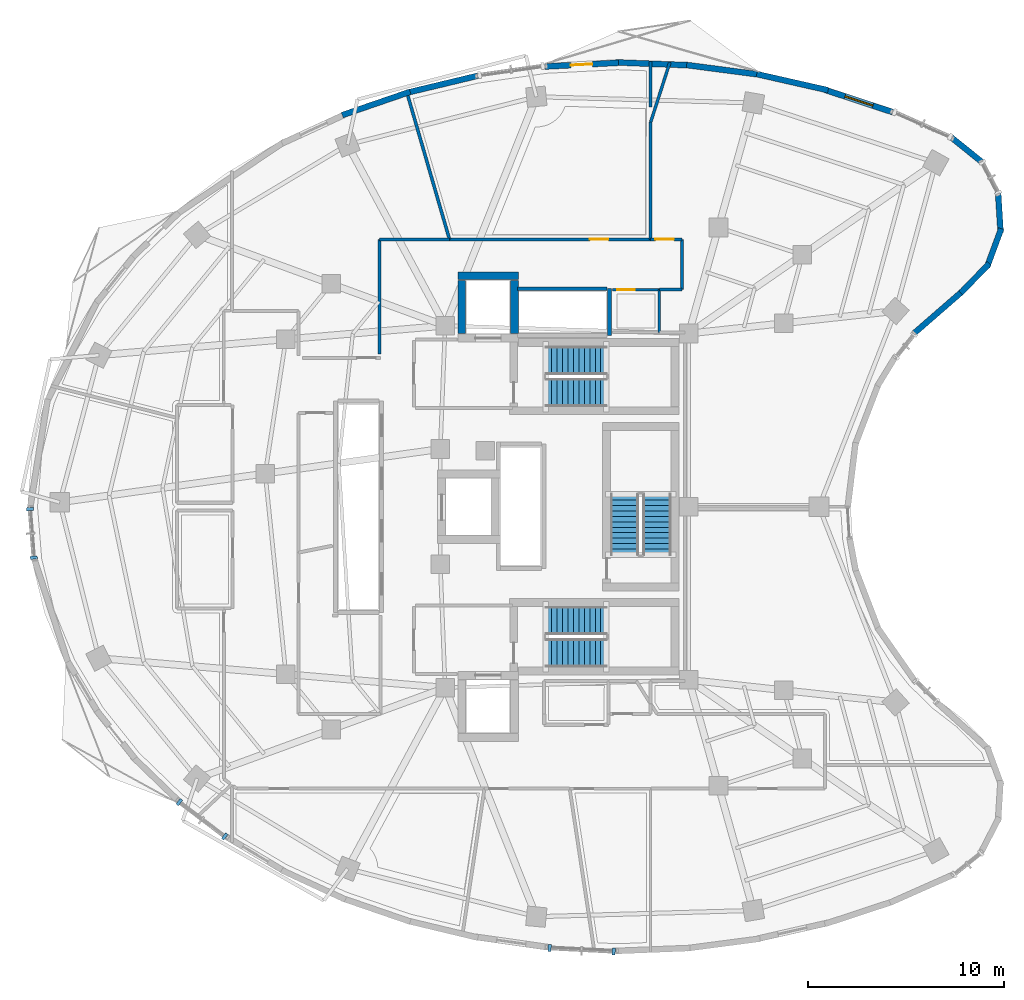
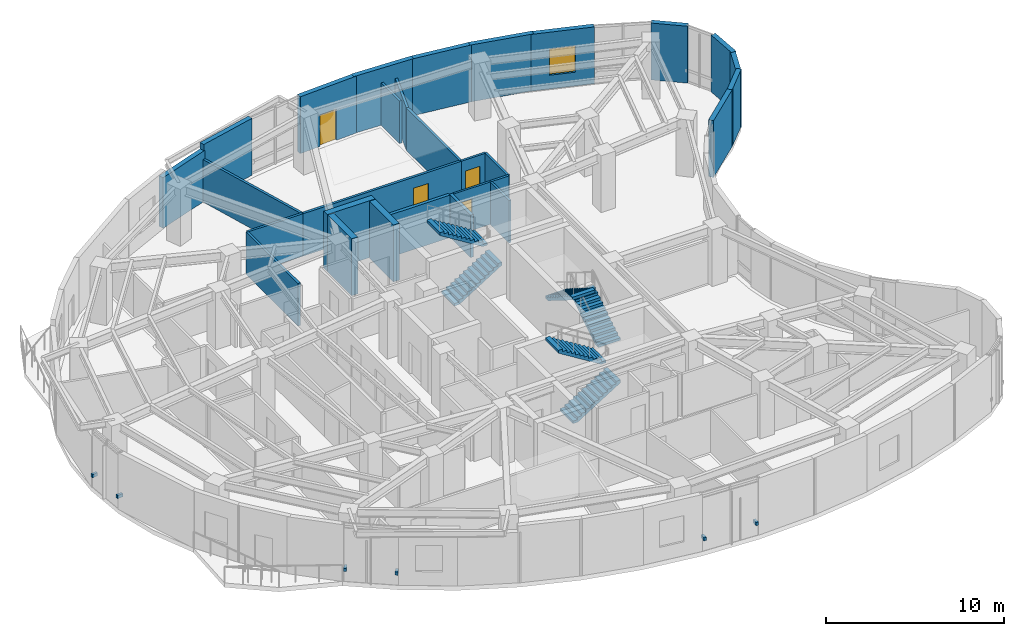
# One storey, part 11 of 15: 29 walls, 6 discrete accessories, 6 stair flights, 4 doors, 1 window, 5 openings, 3 elements without a shape of their own.
"""IFC4 building model written with IfcOpenShell, lengths in metres."""

from ifc_helpers import new_model, si_unit, direction, frame, frame_2d, origin, origin_2d, place, context, subcontext, project, spatial, polyline, rectangle, outline, extrude, material, layer, layer_set, type_object, element, fill, aggregate, save


model = new_model("IFC4")

# Units and contexts
model_context = context("Model", 3, precision=1e-05, world=origin(), true_north=direction((0.0, 1.0)))
body_context = subcontext(model_context, "Body", "Model", "MODEL_VIEW")
ifc_project = project(units=[si_unit("LENGTHUNIT", "METRE"), si_unit("AREAUNIT", "SQUARE_METRE"), si_unit("VOLUMEUNIT", "CUBIC_METRE"), si_unit("PLANEANGLEUNIT", "RADIAN"), si_unit("MASSUNIT", "GRAM", prefix="KILO")], contexts=[model_context])

# Site, building, storey
site_placement = place(None, origin())
site = spatial("IfcSite", under=ifc_project, at=site_placement, CompositionType="ELEMENT")
building_placement = place(site_placement, origin())
building = spatial("IfcBuilding", under=site, at=building_placement, Name="Korentha Bioscience Tower", CompositionType="ELEMENT")
storey_placement = place(building_placement, frame((0.0, 0.0, 235.199951171875)))
storey = spatial("IfcBuildingStorey", under=building, at=storey_placement, Name="L54", CompositionType="ELEMENT", Elevation=235.199951171875)

# Wall, opening, door
ifc_material_1 = material(Name="Double-Stud Acoustic Gypsum", Category="gypsum")
ifc_layer_1 = layer(ifc_material_1, 0.14990234375, Name="Double-Stud Acoustic Gypsum")
ifc_layer_set_1 = layer_set([ifc_layer_1], Name="Double-Stud Acoustic Gypsum (IW-L150)")
wall_type_1 = type_object("IfcWallType", Name="Acoustic Laboratory Partition Wall 150", PredefinedType="PARTITIONING", material=ifc_layer_set_1)
wall_1_placement = place(storey_placement, frame((37.199951171875, 40.659912109375, 0.0), z_axis=(0.0, 0.0, 1.0), x_axis=(-1.0, 0.0, 0.0)))
wall_1 = element("IfcWall", 1, at=wall_1_placement, inside=storey, type_object=wall_type_1, Name="L54 Researchers' Reading Lounge 08 Entrance Wall", PredefinedType="PARTITIONING", context=body_context, shape_type="SweptSolid", body=[
    extrude(rectangle(XDim=1.597900390625, YDim=0.14990234375, at=frame_2d((0.798828125, 0.0))), origin(), (0.0, 0.0, 1.0), 2.91015625),
])
opening_1_placement = place(wall_1_placement, frame((0.407958984375, 0.0, 0.0)))
opening_1 = element("IfcOpeningElement", 2, at=opening_1_placement, cuts=wall_1, Name="Opening ID-10R", PredefinedType="OPENING", context=body_context, shape_type="SweptSolid", body=[
    extrude(rectangle(XDim=0.949951171875, YDim=2.14990234375, at=frame_2d((0.47509765625, 1.074951171875))), frame((0.0, 0.08984375, 0.0), z_axis=(0.0, -1.0, 0.0), x_axis=(1.0, 0.0, 0.0)), (0.0, 0.0, 1.0), 0.1796875),
])
ifc_material_2 = material(Name="Phenolic Laminate Timber Core", Category="wood")
door_type_1 = type_object("IfcDoorType", Name="Laboratory Single Leaf Door 950x2150 Right", OperationType="SINGLE_SWING_RIGHT", PredefinedType="DOOR", material=ifc_material_2)
door_1_placement = place(opening_1_placement, origin())
door_1 = element("IfcDoor", 3, at=door_1_placement, inside=storey, type_object=door_type_1, Name="L54 Researchers' Reading Lounge 08 Door", OperationType="SINGLE_SWING_RIGHT", OverallHeight=2.14990234375, OverallWidth=0.949951171875, PredefinedType="DOOR", context=body_context, shape_type="SweptSolid", body=[
    extrude(rectangle(XDim=0.949951171875, YDim=2.14990234375, at=frame_2d((0.47509765625, 1.074951171875))), frame((0.0, 0.02490234375, 0.0), z_axis=(0.0, -1.0, 0.0), x_axis=(1.0, 0.0, 0.0)), (0.0, 0.0, 1.0), 0.050048828125),
])
fill(opening_1, door_1)

# Walls
wall_2_placement = place(storey_placement, frame((35.60205078125, 46.65673828125, 0.0), z_axis=(0.0, 0.0, 1.0), x_axis=(0.306063425715, 0.95201112359, 0.0)))
element("IfcWall", 4, at=wall_2_placement, inside=storey, type_object=wall_type_1, Name="L54 Interior Partition 056", PredefinedType="PARTITIONING", context=body_context, shape_type="SweptSolid", body=[
    extrude(rectangle(XDim=3.205078125, YDim=0.14990234375, at=frame_2d((1.6025390625, 0.0))), origin(), (0.0, 0.0, 1.0), 2.91015625),
])
wall_3_placement = place(storey_placement, frame((36.06005859375, 38.090087890625, 0.0), z_axis=(0.0, 0.0, 1.0), x_axis=(1.0, 0.0, 0.0)))
element("IfcWall", 5, at=wall_3_placement, inside=storey, type_object=wall_type_1, Name="L54 Interior Partition 059", PredefinedType="PARTITIONING", context=body_context, shape_type="SweptSolid", body=[
    extrude(rectangle(XDim=1.139892578125, YDim=0.14990234375, at=frame_2d((0.56982421875, 0.0))), origin(), (0.0, 0.0, 1.0), 2.91015625),
])
wall_4_placement = place(storey_placement, frame((37.2099609375, 38.10009765625, 0.0), z_axis=(0.0, 0.0, 1.0), x_axis=(0.0, 1.0, 0.0)))
element("IfcWall", 6, at=wall_4_placement, inside=storey, type_object=wall_type_1, Name="L54 Interior Partition 060", PredefinedType="PARTITIONING", context=body_context, shape_type="SweptSolid", body=[
    extrude(rectangle(XDim=2.5498046875, YDim=0.14990234375, at=frame_2d((1.27490234375, 0.0))), origin(), (0.0, 0.0, 1.0), 2.91015625),
])
wall_5_placement = place(storey_placement, frame((35.60205078125, 40.659912109375, 0.0), z_axis=(0.0, 0.0, 1.0), x_axis=(0.0, 1.0, 0.0)))
element("IfcWall", 7, at=wall_5_placement, inside=storey, type_object=wall_type_1, Name="L54 Interior Partition 061", PredefinedType="PARTITIONING", context=body_context, shape_type="SweptSolid", body=[
    extrude(rectangle(XDim=5.99658203125, YDim=0.14990234375, at=frame_2d((2.998291015625, 0.0))), origin(), (0.0, 0.0, 1.0), 2.91015625),
])
wall_6_placement = place(storey_placement, frame((25.31103515625, 40.659912109375, 0.0), z_axis=(0.0, 0.0, 1.0), x_axis=(-1.0, 0.0, 0.0)))
element("IfcWall", 8, at=wall_6_placement, inside=storey, type_object=wall_type_1, Name="L54 Interior Partition 064", PredefinedType="PARTITIONING", context=body_context, shape_type="SweptSolid", body=[
    extrude(rectangle(XDim=3.56103515625, YDim=0.14990234375, at=frame_2d((1.780517578125, 0.0))), origin(), (0.0, 0.0, 1.0), 2.91015625),
])
wall_7_placement = place(storey_placement, frame((21.739990234375, 40.64990234375, 0.0), z_axis=(0.0, 0.0, 1.0), x_axis=(0.0, -1.0, 0.0)))
element("IfcWall", 9, at=wall_7_placement, inside=storey, type_object=wall_type_1, Name="L54 Interior Partition 065", PredefinedType="PARTITIONING", context=body_context, shape_type="SweptSolid", body=[
    extrude(rectangle(XDim=5.849853515625, YDim=0.14990234375, at=frame_2d((2.9248046875, 0.0))), origin(), (0.0, 0.0, 1.0), 2.91015625),
])

# Wall, opening, door
ifc_material_3 = material(Name="Gypsum-Clad Steel Stud", Category="steel")
ifc_layer_2 = layer(ifc_material_3, 0.159912109375, Name="Gypsum-Clad Steel Stud")
ifc_layer_set_2 = layer_set([ifc_layer_2], Name="Gypsum-Clad Steel Stud (IW-C160)")
wall_type_2 = type_object("IfcWallType", Name="Fire-Rated Corridor Partition Wall 160", PredefinedType="PARTITIONING", material=ifc_layer_set_2)
wall_8_placement = place(storey_placement, frame((35.592041015625, 40.659912109375, 0.0), z_axis=(0.0, 0.0, 1.0), x_axis=(-1.0, 0.0, 0.0)))
wall_8 = element("IfcWall", 10, at=wall_8_placement, inside=storey, type_object=wall_type_2, Name="L54 Clean Linen and Labcoat Store 09 Entrance Wall", PredefinedType="PARTITIONING", context=body_context, shape_type="SweptSolid", body=[
    extrude(rectangle(XDim=10.2705078125, YDim=0.159912109375, at=frame_2d((5.13525390625, 0.0))), origin(), (0.0, 0.0, 1.0), 2.91015625),
])
opening_2_placement = place(wall_8_placement, frame((2.1455078125, 0.0, 0.0)))
opening_2 = element("IfcOpeningElement", 11, at=opening_2_placement, cuts=wall_8, Name="Opening ID-10L", PredefinedType="OPENING", context=body_context, shape_type="SweptSolid", body=[
    extrude(rectangle(XDim=0.949951171875, YDim=2.14990234375, at=frame_2d((0.47509765625, 1.074951171875))), frame((0.0, 0.0947265625, 0.0), z_axis=(0.0, -1.0, 0.0), x_axis=(1.0, 0.0, 0.0)), (0.0, 0.0, 1.0), 0.189697265625),
])
door_type_2 = type_object("IfcDoorType", Name="Laboratory Single Leaf Door 950x2150 Left", OperationType="SINGLE_SWING_LEFT", PredefinedType="DOOR", material=ifc_material_2)
door_2_placement = place(opening_2_placement, origin())
door_2 = element("IfcDoor", 12, at=door_2_placement, inside=storey, type_object=door_type_2, Name="L54 Clean Linen and Labcoat Store 09 Door", OperationType="SINGLE_SWING_LEFT", OverallHeight=2.14990234375, OverallWidth=0.949951171875, PredefinedType="DOOR", context=body_context, shape_type="SweptSolid", body=[
    extrude(rectangle(XDim=0.949951171875, YDim=2.14990234375, at=frame_2d((0.47509765625, 1.074951171875))), frame((0.0, 0.02490234375, 0.0), z_axis=(0.0, -1.0, 0.0), x_axis=(1.0, 0.0, 0.0)), (0.0, 0.0, 1.0), 0.050048828125),
])
fill(opening_2, door_2)

# Walls
wall_9_placement = place(storey_placement, frame((35.597900390625, 49.756591796875, 0.0), z_axis=(0.0, 0.0, 1.0), x_axis=(0.0, -1.0, 0.0)))
element("IfcWall", 13, at=wall_9_placement, inside=storey, type_object=wall_type_2, Name="L54 Interior Partition 062", PredefinedType="PARTITIONING", context=body_context, shape_type="SweptSolid", body=[
    extrude(rectangle(XDim=2.328125, YDim=0.159912109375, at=frame_2d((1.1640625, 0.0))), origin(), (0.0, 0.0, 1.0), 2.91015625),
])
wall_10_placement = place(storey_placement, frame((25.321533203125, 40.659912109375, 0.0), z_axis=(0.0, 0.0, 1.0), x_axis=(-0.278465296123, 0.960446291499, 0.0)))
element("IfcWall", 14, at=wall_10_placement, inside=storey, type_object=wall_type_2, Name="L54 Interior Partition 063", PredefinedType="PARTITIONING", context=body_context, shape_type="SweptSolid", body=[
    extrude(rectangle(XDim=7.918701171875, YDim=0.159912109375, at=frame_2d((3.95947265625, 0.0))), origin(), (0.0, 0.0, 1.0), 2.91015625),
])

# Wall, opening, window
ifc_material_4 = material(Name="Honed Limestone Precast Concrete C40", Category="masonry")
ifc_layer_3 = layer(ifc_material_4, 0.300048828125, Name="Honed Limestone Precast Concrete C40")
ifc_layer_set_3 = layer_set([ifc_layer_3], Name="Honed Limestone Precast Concrete C40 (EW-ST300)")
wall_type_3 = type_object("IfcWallType", Name="Honed Limestone Cavity Spandrel Wall 300", PredefinedType="STANDARD", material=ifc_layer_set_3)
wall_11_placement = place(storey_placement, frame((47.97265625, 47.163818359375, 0.0), z_axis=(0.0, 0.0, 1.0), x_axis=(-0.949704682455, 0.313146956114, 0.0)))
wall_11 = element("IfcWall", 15, at=wall_11_placement, inside=storey, type_object=wall_type_3, Name="L54 Honed Limestone Spandrel Wall 02", PredefinedType="STANDARD", context=body_context, shape_type="SweptSolid", body=[
    extrude(rectangle(XDim=3.639404296875, YDim=0.300048828125, at=frame_2d((1.81982421875, 0.0))), origin(), (0.0, 0.0, 1.0), 3.900146484375),
])
opening_3_placement = place(wall_11_placement, frame((1.069580078125, 0.0, 0.949951171875)))
opening_3 = element("IfcOpeningElement", 16, at=opening_3_placement, cuts=wall_11, Name="Opening WN-02", PredefinedType="OPENING", context=body_context, shape_type="SweptSolid", body=[
    extrude(rectangle(XDim=1.5, YDim=1.800048828125, at=frame_2d((0.75, 0.89990234375))), frame((0.0, 0.1650390625, 0.0), z_axis=(0.0, -1.0, 0.0), x_axis=(1.0, 0.0, 0.0)), (0.0, 0.0, 1.0), 0.329833984375),
])
ifc_material_5 = material(Name="Thermally Broken Aluminium Triple Glazing", Category="aluminium")
window_type = type_object("IfcWindowType", Name="Acoustic Operable Office Window 1500x1800", PartitioningType="DOUBLE_PANEL_VERTICAL", PredefinedType="WINDOW", material=ifc_material_5)
window_placement = place(opening_3_placement, origin())
window = element("IfcWindow", 17, at=window_placement, inside=storey, type_object=window_type, Name="L54 Facade Window 02", OverallHeight=1.800048828125, OverallWidth=1.5, PartitioningType="DOUBLE_PANEL_VERTICAL", PredefinedType="WINDOW", context=body_context, shape_type="SweptSolid", body=[
    extrude(rectangle(XDim=1.5, YDim=1.800048828125, at=frame_2d((0.75, 0.89990234375))), frame((0.0, 0.030029296875, 0.0), z_axis=(0.0, -1.0, 0.0), x_axis=(1.0, 0.0, 0.0)), (0.0, 0.0, 1.0), 0.06005859375),
])
fill(opening_3, window)

# Wall, opening, door
wall_12_placement = place(storey_placement, frame((33.95849609375, 49.6875, 0.0), z_axis=(0.0, 0.0, 1.0), x_axis=(-0.998693948377, -0.051092049037, 0.0)))
wall_12 = element("IfcWall", 18, at=wall_12_placement, inside=storey, type_object=wall_type_3, Name="L54 Balcony Threshold Wall 01", PredefinedType="STANDARD", context=body_context, shape_type="SweptSolid", body=[
    extrude(rectangle(XDim=3.765380859375, YDim=0.300048828125, at=frame_2d((1.8828125, 0.0))), origin(), (0.0, 0.0, 1.0), 3.900146484375),
])
opening_4_placement = place(wall_12_placement, frame((1.332763671875, 0.0, 0.0)))
opening_4 = element("IfcOpeningElement", 19, at=opening_4_placement, cuts=wall_12, Name="Opening BD-11L", PredefinedType="OPENING", context=body_context, shape_type="SweptSolid", body=[
    extrude(rectangle(XDim=1.10009765625, YDim=2.14990234375, at=frame_2d((0.550048828125, 1.074951171875))), frame((0.0, 0.1650390625, 0.0), z_axis=(0.0, -1.0, 0.0), x_axis=(1.0, 0.0, 0.0)), (0.0, 0.0, 1.0), 0.329833984375),
])
ifc_material_6 = material(Name="Thermally Broken Glazed Aluminium", Category="aluminium")
door_type_3 = type_object("IfcDoorType", Name="Balcony Terrace Glazed Door 1100x2150 Left", OperationType="SINGLE_SWING_LEFT", PredefinedType="DOOR", material=ifc_material_6)
door_3_placement = place(opening_4_placement, origin())
door_3 = element("IfcDoor", 20, at=door_3_placement, inside=storey, type_object=door_type_3, Name="L54 Balcony Access Door 01", OperationType="SINGLE_SWING_LEFT", OverallHeight=2.14990234375, OverallWidth=1.10009765625, PredefinedType="DOOR", context=body_context, shape_type="SweptSolid", body=[
    extrude(rectangle(XDim=1.10009765625, YDim=2.14990234375, at=frame_2d((0.550048828125, 1.074951171875))), frame((0.0, 0.02490234375, 0.0), z_axis=(0.0, -1.0, 0.0), x_axis=(1.0, 0.0, 0.0)), (0.0, 0.0, 1.0), 0.050048828125),
])
fill(opening_4, door_3)

# Walls
wall_13_placement = place(storey_placement, frame((44.67041015625, 48.282470703125, 0.0), z_axis=(0.0, 0.0, 1.0), x_axis=(-0.975241674184, 0.221141757557, 0.0)))
element("IfcWall", 21, at=wall_13_placement, inside=storey, type_object=wall_type_3, Name="L54 Limestone Perimeter Closure Wall 03", PredefinedType="STANDARD", context=body_context, shape_type="SweptSolid", body=[
    extrude(rectangle(XDim=3.74267578125, YDim=0.300048828125, at=frame_2d((1.871337890625, 0.0))), origin(), (0.0, 0.0, 1.0), 3.900146484375),
])
wall_14_placement = place(storey_placement, frame((41.190673828125, 49.079833984375, 0.0), z_axis=(0.0, 0.0, 1.0), x_axis=(-0.991512801574, 0.130009093201, 0.0)))
element("IfcWall", 22, at=wall_14_placement, inside=storey, type_object=wall_type_3, Name="L54 Limestone Perimeter Closure Wall 04", PredefinedType="STANDARD", context=body_context, shape_type="SweptSolid", body=[
    extrude(rectangle(XDim=3.785888671875, YDim=0.300048828125, at=frame_2d((1.89306640625, 0.0))), origin(), (0.0, 0.0, 1.0), 3.900146484375),
])
wall_15_placement = place(storey_placement, frame((37.60888671875, 49.557373046875, 0.0), z_axis=(0.0, 0.0, 1.0), x_axis=(-0.999221923177, 0.039440439173, 0.0)))
element("IfcWall", 23, at=wall_15_placement, inside=storey, type_object=wall_type_3, Name="L54 Limestone Perimeter Closure Wall 05", PredefinedType="STANDARD", context=body_context, shape_type="SweptSolid", body=[
    extrude(rectangle(XDim=3.806884765625, YDim=0.300048828125, at=frame_2d((1.9033203125, 0.0))), origin(), (0.0, 0.0, 1.0), 3.900146484375),
])
wall_16_placement = place(storey_placement, frame((26.775146484375, 49.027099609375, 0.0), z_axis=(0.0, 0.0, 1.0), x_axis=(-0.972475629939, -0.233004611918, 0.0)))
element("IfcWall", 24, at=wall_16_placement, inside=storey, type_object=wall_type_3, Name="L54 Limestone Perimeter Closure Wall 08", PredefinedType="STANDARD", context=body_context, shape_type="SweptSolid", body=[
    extrude(rectangle(XDim=3.7353515625, YDim=0.300048828125, at=frame_2d((1.86767578125, 0.0))), origin(), (0.0, 0.0, 1.0), 3.900146484375),
])
wall_17_placement = place(storey_placement, frame((23.30908203125, 48.205078125, 0.0), z_axis=(0.0, 0.0, 1.0), x_axis=(-0.945722383555, -0.32497565023, 0.0)))
element("IfcWall", 25, at=wall_17_placement, inside=storey, type_object=wall_type_3, Name="L54 Limestone Perimeter Closure Wall 09", PredefinedType="STANDARD", context=body_context, shape_type="SweptSolid", body=[
    extrude(rectangle(XDim=3.669921875, YDim=0.300048828125, at=frame_2d((1.8349609375, 0.0))), origin(), (0.0, 0.0, 1.0), 3.469970703125),
])
wall_18_placement = place(storey_placement, frame((49.039794921875, 35.840087890625, 0.0), z_axis=(0.0, 0.0, 1.0), x_axis=(0.754679026761, 0.656094175075, 0.0)))
element("IfcWall", 26, at=wall_18_placement, inside=storey, type_object=wall_type_3, Name="L54 Limestone Perimeter Closure Wall 56", PredefinedType="STANDARD", context=body_context, shape_type="SweptSolid", body=[
    extrude(rectangle(XDim=3.360595703125, YDim=0.300048828125, at=frame_2d((1.68017578125, 0.0))), origin(), (0.0, 0.0, 1.0), 3.900146484375),
])
for number, where, z_axis, x_axis, name in (
    (27, (51.451416015625, 37.9267578125, 0.0), (0.0, 0.0, 1.0), (0.695810272174, 0.718225636647, 0.0), "L54 Limestone Perimeter Closure Wall 58"),
    (28, (52.79248046875, 39.247314453125, 0.0), (0.0, 0.0, 1.0), (0.346359858312, 0.93810172612, 0.0), "L54 Limestone Perimeter Closure Wall 59"),
    (29, (53.485595703125, 40.997314453125, 0.0), (0.0, 0.0, 1.0), (-0.06186954965, 0.998084244353, 0.0), "L54 Limestone Perimeter Closure Wall 60"),
):
    element("IfcWall", number, at=place(storey_placement, frame(where, z_axis=z_axis, x_axis=x_axis)), inside=storey, type_object=wall_type_3, Name=name, PredefinedType="STANDARD", context=body_context, shape_type="SweptSolid", body=[
        extrude(rectangle(XDim=2.09130859375, YDim=0.300048828125, at=frame_2d((1.045654296875, 0.0))), origin(), (0.0, 0.0, 1.0), 3.900146484375),
    ])
wall_19_placement = place(storey_placement, frame((52.587646484375, 44.5693359375, 0.0), z_axis=(0.0, 0.0, 1.0), x_axis=(-0.779157679167, 0.6268279756, 0.0)))
element("IfcWall", 30, at=wall_19_placement, inside=storey, type_object=wall_type_3, Name="L54 Limestone Perimeter Closure Wall 62", PredefinedType="STANDARD", context=body_context, shape_type="SweptSolid", body=[
    extrude(rectangle(XDim=2.091552734375, YDim=0.300048828125, at=frame_2d((1.0458984375, 0.0))), origin(), (0.0, 0.0, 1.0), 3.900146484375),
])
ifc_material_7 = material(Name="Autoclaved Aerated Concrete Block C25", Category="concrete")
ifc_layer_4 = layer(ifc_material_7, 0.199951171875, Name="Autoclaved Aerated Concrete Block C25")
ifc_layer_set_4 = layer_set([ifc_layer_4], Name="Autoclaved Aerated Concrete Block C25 (IW-S200)")
wall_type_4 = type_object("IfcWallType", Name="Lift and Riser Shaft Enclosure Wall 200", PredefinedType="PARTITIONING", material=ifc_layer_set_4)
wall_20_placement = place(storey_placement, frame((33.489990234375, 35.760009765625, 0.0), z_axis=(0.0, 0.0, 1.0), x_axis=(0.0, 1.0, 0.0)))
element("IfcWall", 31, at=wall_20_placement, inside=storey, type_object=wall_type_4, Name="L54 Lift Bank OBS Shaft Wall +X", PredefinedType="PARTITIONING", context=body_context, shape_type="SweptSolid", body=[
    extrude(rectangle(XDim=2.3798828125, YDim=0.199951171875, at=frame_2d((1.18994140625, 0.0))), origin(), (0.0, 0.0, 1.0), 2.91015625),
])
wall_21_placement = place(storey_placement, frame((28.800048828125, 38.139892578125, 0.0), z_axis=(0.0, 0.0, 1.0), x_axis=(1.0, 0.0, 0.0)))
element("IfcWall", 32, at=wall_21_placement, inside=storey, type_object=wall_type_4, Name="L54 Lift Bank OBS Shaft Wall +Y", PredefinedType="PARTITIONING", context=body_context, shape_type="SweptSolid", body=[
    extrude(rectangle(XDim=4.570068359375, YDim=0.199951171875, at=frame_2d((2.28515625, 0.0))), origin(), (0.0, 0.0, 1.0), 2.91015625),
])
ifc_material_8 = material(Name="Concrete C65", Category="concrete")
ifc_layer_5 = layer(ifc_material_8, 0.39990234375, Name="Concrete C65")
ifc_layer_set_5 = layer_set([ifc_layer_5], Name="Concrete C65 (CW-C65)")
wall_type_5 = type_object("IfcWallType", Name="Mid-Rise Core Shear Wall 400", PredefinedType="SHEAR", material=ifc_layer_set_5)
wall_22_placement = place(storey_placement, frame((25.75, 38.800048828125, 0.0), z_axis=(0.0, 0.0, 1.0), x_axis=(1.0, 0.0, 0.0)))
element("IfcWall", 33, at=wall_22_placement, inside=storey, type_object=wall_type_5, Name="L54 Core Shear Wall FFL2-N", PredefinedType="SHEAR", context=body_context, shape_type="SweptSolid", body=[
    extrude(rectangle(XDim=3.10009765625, YDim=0.39990234375, at=frame_2d((1.550048828125, 0.0))), origin(), (0.0, 0.0, 1.0), 3.900146484375),
])
for number, where, z_axis, x_axis, name in (
    (34, (25.949951171875, 35.860107421875, 0.0), (0.0, 0.0, 1.0), (0.0, 1.0, 0.0), "L54 Core Shear Wall FFL2-W"),
    (35, (28.64990234375, 35.860107421875, 0.0), (0.0, 0.0, 1.0), (0.0, 1.0, 0.0), "L54 Core Shear Wall FFL2-E"),
):
    element("IfcWall", number, at=place(storey_placement, frame(where, z_axis=z_axis, x_axis=x_axis)), inside=storey, type_object=wall_type_5, Name=name, PredefinedType="SHEAR", context=body_context, shape_type="SweptSolid", body=[
        extrude(rectangle(XDim=2.699951171875, YDim=0.39990234375, at=frame_2d((1.35009765625, 0.0))), origin(), (0.0, 0.0, 1.0), 3.900146484375),
    ])

# Wall, opening, door
ifc_material_9 = material(Name="Cement-Board Steel Stud", Category="steel")
ifc_layer_6 = layer(ifc_material_9, 0.1298828125, Name="Cement-Board Steel Stud")
ifc_layer_set_6 = layer_set([ifc_layer_6], Name="Cement-Board Steel Stud (IW-W130)")
wall_type_6 = type_object("IfcWallType", Name="Wet-Area Moisture-Resistant Partition 130", PredefinedType="PARTITIONING", material=ifc_layer_set_6)
wall_23_placement = place(storey_placement, frame((33.64990234375, 38.090087890625, 0.0), z_axis=(0.0, 0.0, 1.0), x_axis=(1.0, 0.0, 0.0)))
wall_23 = element("IfcWall", 36, at=wall_23_placement, inside=storey, type_object=wall_type_6, Name="L54 Accessible Staff WC Entrance Wall", PredefinedType="PARTITIONING", context=body_context, shape_type="SweptSolid", body=[
    extrude(rectangle(XDim=2.400146484375, YDim=0.1298828125, at=frame_2d((1.2001953125, 0.0))), origin(), (0.0, 0.0, 1.0), 2.91015625),
])
opening_5_placement = place(wall_23_placement, frame((0.239990234375, 0.0, 0.0)))
opening_5 = element("IfcOpeningElement", 37, at=opening_5_placement, cuts=wall_23, Name="Opening ID-09R", PredefinedType="OPENING", context=body_context, shape_type="SweptSolid", body=[
    extrude(rectangle(XDim=0.89990234375, YDim=2.14990234375, at=frame_2d((0.449951171875, 1.074951171875))), frame((0.0, 0.079833984375, 0.0), z_axis=(0.0, -1.0, 0.0), x_axis=(1.0, 0.0, 0.0)), (0.0, 0.0, 1.0), 0.15966796875),
])
ifc_material_10 = material(Name="Moisture-Resistant HPL Leaf", Category="wood")
door_type_4 = type_object("IfcDoorType", Name="Restroom & Accessible WC Door 900x2150 Right", OperationType="SINGLE_SWING_RIGHT", PredefinedType="DOOR", material=ifc_material_10)
door_4_placement = place(opening_5_placement, origin())
door_4 = element("IfcDoor", 38, at=door_4_placement, inside=storey, type_object=door_type_4, Name="L54 Accessible Staff WC Door", OperationType="SINGLE_SWING_RIGHT", OverallHeight=2.14990234375, OverallWidth=0.89990234375, PredefinedType="DOOR", context=body_context, shape_type="SweptSolid", body=[
    extrude(rectangle(XDim=0.89990234375, YDim=2.14990234375, at=frame_2d((0.449951171875, 1.074951171875))), frame((0.0, 0.02490234375, 0.0), z_axis=(0.0, -1.0, 0.0), x_axis=(1.0, 0.0, 0.0)), (0.0, 0.0, 1.0), 0.050048828125),
])
fill(opening_5, door_4)

# Wall
wall_24_placement = place(storey_placement, frame((36.050048828125, 38.090087890625, 0.0), z_axis=(0.0, 0.0, 1.0), x_axis=(0.0, -1.0, 0.0)))
element("IfcWall", 39, at=wall_24_placement, inside=storey, type_object=wall_type_6, Name="L54 Interior Partition 023", PredefinedType="PARTITIONING", context=body_context, shape_type="SweptSolid", body=[
    extrude(rectangle(XDim=2.18017578125, YDim=0.1298828125, at=frame_2d((1.090087890625, 0.0))), origin(), (0.0, 0.0, 1.0), 2.91015625),
])

# Stair, stair flights
ifc_material_11 = material(Name="Precast Concrete C50", Category="concrete")
stair_type = type_object("IfcStairType", Name="Core Exit Dog-Leg Stair 1450", PredefinedType="HALF_TURN_STAIR", material=ifc_material_11)
stair_1_placement = place(storey_placement, origin())
stair_1 = element("IfcStair", 40, at=stair_1_placement, inside=storey, type_object=stair_type, Name="L54 Tower North Pressurized Exit Stair ST-1", PredefinedType="HALF_TURN_STAIR")
stair_flight_type = type_object("IfcStairFlightType", Name="Core Exit Dog-Leg Stair 1450 Flight", PredefinedType="STRAIGHT", material=ifc_material_11)
stair_flight_1_placement = place(storey_placement, frame((30.25, 32.824951171875, 0.0), z_axis=(0.0, 0.0, 1.0), x_axis=(1.0, 0.0, 0.0)))
stair_flight_1 = element("IfcStairFlight", 41, at=stair_flight_1_placement, type_object=stair_flight_type, Name="ST-1 flight 1", NumberOfRisers=12, NumberOfTreads=11, PredefinedType="STRAIGHT", RiserHeight=0.175, TreadLength=0.28, context=body_context, shape_type="SweptSolid", body=[
    extrude(outline(polyline([(0.0, 0.0), (0.0, 0.175048828125), (0.280029296875, 0.175048828125), (0.280029296875, 0.35009765625), (0.56005859375, 0.35009765625), (0.56005859375, 0.52490234375), (0.840087890625, 0.52490234375), (0.840087890625, 0.699951171875), (1.1201171875, 0.699951171875), (1.1201171875, 0.875), (1.39990234375, 0.875), (1.39990234375, 1.050048828125), (1.679931640625, 1.050048828125), (1.679931640625, 1.22509765625), (1.9599609375, 1.22509765625), (1.9599609375, 1.39990234375), (2.239990234375, 1.39990234375), (2.239990234375, 1.574951171875), (2.52001953125, 1.574951171875), (2.52001953125, 1.75), (2.800048828125, 1.75), (2.800048828125, 1.925048828125), (3.080078125, 1.925048828125), (3.080078125, 2.10009765625), (3.080078125, 1.736328125), (0.3017578125, 0.0), (0.0, 0.0)])), frame((0.0, 0.72509765625, 0.0), z_axis=(0.0, -1.0, 0.0), x_axis=(1.0, 0.0, 0.0)), (0.0, 0.0, 1.0), 1.449951171875),
])
stair_flight_2_placement = place(storey_placement, frame((33.330078125, 34.47509765625, 2.10009765625), z_axis=(0.0, 0.0, 1.0), x_axis=(-1.0, 0.0, 0.0)))
stair_flight_2 = element("IfcStairFlight", 42, at=stair_flight_2_placement, type_object=stair_flight_type, Name="ST-1 flight 2", NumberOfRisers=12, NumberOfTreads=11, PredefinedType="STRAIGHT", RiserHeight=0.175, TreadLength=0.28, context=body_context, shape_type="SweptSolid", body=[
    extrude(outline(polyline([(0.0, 0.0), (0.0, 0.175048828125), (0.280029296875, 0.175048828125), (0.280029296875, 0.35009765625), (0.56005859375, 0.35009765625), (0.56005859375, 0.52490234375), (0.840087890625, 0.52490234375), (0.840087890625, 0.699951171875), (1.1201171875, 0.699951171875), (1.1201171875, 0.875), (1.39990234375, 0.875), (1.39990234375, 1.050048828125), (1.679931640625, 1.050048828125), (1.679931640625, 1.22509765625), (1.9599609375, 1.22509765625), (1.9599609375, 1.39990234375), (2.239990234375, 1.39990234375), (2.239990234375, 1.574951171875), (2.52001953125, 1.574951171875), (2.52001953125, 1.75), (2.800048828125, 1.75), (2.800048828125, 1.925048828125), (3.080078125, 1.925048828125), (3.080078125, 2.10009765625), (3.080078125, 1.736328125), (0.3017578125, 0.0), (0.0, 0.0)])), frame((0.0, 0.72509765625, 0.0), z_axis=(0.0, -1.0, 0.0), x_axis=(1.0, 0.0, 0.0)), (0.0, 0.0, 1.0), 1.449951171875),
])
aggregate(stair_1, [stair_flight_1, stair_flight_2])

stair_2_placement = place(storey_placement, origin())
stair_2 = element("IfcStair", 43, at=stair_2_placement, inside=storey, type_object=stair_type, Name="L54 Tower South Pressurized Exit Stair ST-2", PredefinedType="HALF_TURN_STAIR")
stair_flight_3_placement = place(storey_placement, frame((30.25, 19.52490234375, 0.0), z_axis=(0.0, 0.0, 1.0), x_axis=(1.0, 0.0, 0.0)))
stair_flight_3 = element("IfcStairFlight", 44, at=stair_flight_3_placement, type_object=stair_flight_type, Name="ST-2 flight 1", NumberOfRisers=12, NumberOfTreads=11, PredefinedType="STRAIGHT", RiserHeight=0.175, TreadLength=0.28, context=body_context, shape_type="SweptSolid", body=[
    extrude(outline(polyline([(0.0, 0.0), (0.0, 0.175048828125), (0.280029296875, 0.175048828125), (0.280029296875, 0.35009765625), (0.56005859375, 0.35009765625), (0.56005859375, 0.52490234375), (0.840087890625, 0.52490234375), (0.840087890625, 0.699951171875), (1.1201171875, 0.699951171875), (1.1201171875, 0.875), (1.39990234375, 0.875), (1.39990234375, 1.050048828125), (1.679931640625, 1.050048828125), (1.679931640625, 1.22509765625), (1.9599609375, 1.22509765625), (1.9599609375, 1.39990234375), (2.239990234375, 1.39990234375), (2.239990234375, 1.574951171875), (2.52001953125, 1.574951171875), (2.52001953125, 1.75), (2.800048828125, 1.75), (2.800048828125, 1.925048828125), (3.080078125, 1.925048828125), (3.080078125, 2.10009765625), (3.080078125, 1.736328125), (0.3017578125, 0.0), (0.0, 0.0)])), frame((0.0, 0.72509765625, 0.0), z_axis=(0.0, -1.0, 0.0), x_axis=(1.0, 0.0, 0.0)), (0.0, 0.0, 1.0), 1.449951171875),
])
stair_flight_4_placement = place(storey_placement, frame((33.330078125, 21.175048828125, 2.10009765625), z_axis=(0.0, 0.0, 1.0), x_axis=(-1.0, 0.0, 0.0)))
stair_flight_4 = element("IfcStairFlight", 45, at=stair_flight_4_placement, type_object=stair_flight_type, Name="ST-2 flight 2", NumberOfRisers=12, NumberOfTreads=11, PredefinedType="STRAIGHT", RiserHeight=0.175, TreadLength=0.28, context=body_context, shape_type="SweptSolid", body=[
    extrude(outline(polyline([(0.0, 0.0), (0.0, 0.175048828125), (0.280029296875, 0.175048828125), (0.280029296875, 0.35009765625), (0.56005859375, 0.35009765625), (0.56005859375, 0.52490234375), (0.840087890625, 0.52490234375), (0.840087890625, 0.699951171875), (1.1201171875, 0.699951171875), (1.1201171875, 0.875), (1.39990234375, 0.875), (1.39990234375, 1.050048828125), (1.679931640625, 1.050048828125), (1.679931640625, 1.22509765625), (1.9599609375, 1.22509765625), (1.9599609375, 1.39990234375), (2.239990234375, 1.39990234375), (2.239990234375, 1.574951171875), (2.52001953125, 1.574951171875), (2.52001953125, 1.75), (2.800048828125, 1.75), (2.800048828125, 1.925048828125), (3.080078125, 1.925048828125), (3.080078125, 2.10009765625), (3.080078125, 1.736328125), (0.3017578125, 0.0), (0.0, 0.0)])), frame((0.0, 0.72509765625, 0.0), z_axis=(0.0, -1.0, 0.0), x_axis=(1.0, 0.0, 0.0)), (0.0, 0.0, 1.0), 1.449951171875),
])
aggregate(stair_2, [stair_flight_3, stair_flight_4])

stair_3_placement = place(storey_placement, origin())
stair_3 = element("IfcStair", 46, at=stair_3_placement, inside=storey, type_object=stair_type, Name="L54 Tower Central Pressurized Exit Stair ST-3", PredefinedType="HALF_TURN_STAIR")
stair_flight_5_placement = place(storey_placement, frame((35.925048828125, 24.550048828125, 0.0), z_axis=(0.0, 0.0, 1.0), x_axis=(0.0, 1.0, 0.0)))
stair_flight_5 = element("IfcStairFlight", 47, at=stair_flight_5_placement, type_object=stair_flight_type, Name="ST-3 flight 1", NumberOfRisers=12, NumberOfTreads=11, PredefinedType="STRAIGHT", RiserHeight=0.175, TreadLength=0.28, context=body_context, shape_type="SweptSolid", body=[
    extrude(outline(polyline([(0.0, 0.0), (0.0, 0.175048828125), (0.280029296875, 0.175048828125), (0.280029296875, 0.35009765625), (0.56005859375, 0.35009765625), (0.56005859375, 0.52490234375), (0.840087890625, 0.52490234375), (0.840087890625, 0.699951171875), (1.1201171875, 0.699951171875), (1.1201171875, 0.875), (1.39990234375, 0.875), (1.39990234375, 1.050048828125), (1.679931640625, 1.050048828125), (1.679931640625, 1.22509765625), (1.9599609375, 1.22509765625), (1.9599609375, 1.39990234375), (2.239990234375, 1.39990234375), (2.239990234375, 1.574951171875), (2.52001953125, 1.574951171875), (2.52001953125, 1.75), (2.800048828125, 1.75), (2.800048828125, 1.925048828125), (3.080078125, 1.925048828125), (3.080078125, 2.10009765625), (3.080078125, 1.736328125), (0.3017578125, 0.0), (0.0, 0.0)])), frame((0.0, 0.72509765625, 0.0), z_axis=(0.0, -1.0, 0.0), x_axis=(1.0, 0.0, 0.0)), (0.0, 0.0, 1.0), 1.449951171875),
])
stair_flight_6_placement = place(storey_placement, frame((34.27490234375, 27.6298828125, 2.10009765625), z_axis=(0.0, 0.0, 1.0), x_axis=(0.0, -1.0, 0.0)))
stair_flight_6 = element("IfcStairFlight", 48, at=stair_flight_6_placement, type_object=stair_flight_type, Name="ST-3 flight 2", NumberOfRisers=12, NumberOfTreads=11, PredefinedType="STRAIGHT", RiserHeight=0.175, TreadLength=0.28, context=body_context, shape_type="SweptSolid", body=[
    extrude(outline(polyline([(0.0, 0.0), (0.0, 0.175048828125), (0.280029296875, 0.175048828125), (0.280029296875, 0.35009765625), (0.56005859375, 0.35009765625), (0.56005859375, 0.52490234375), (0.840087890625, 0.52490234375), (0.840087890625, 0.699951171875), (1.1201171875, 0.699951171875), (1.1201171875, 0.875), (1.39990234375, 0.875), (1.39990234375, 1.050048828125), (1.679931640625, 1.050048828125), (1.679931640625, 1.22509765625), (1.9599609375, 1.22509765625), (1.9599609375, 1.39990234375), (2.239990234375, 1.39990234375), (2.239990234375, 1.574951171875), (2.52001953125, 1.574951171875), (2.52001953125, 1.75), (2.800048828125, 1.75), (2.800048828125, 1.925048828125), (3.080078125, 1.925048828125), (3.080078125, 2.10009765625), (3.080078125, 1.736328125), (0.3017578125, 0.0), (0.0, 0.0)])), frame((0.0, 0.72509765625, 0.0), z_axis=(0.0, -1.0, 0.0), x_axis=(1.0, 0.0, 0.0)), (0.0, 0.0, 1.0), 1.449951171875),
])
aggregate(stair_3, [stair_flight_5, stair_flight_6])

# Discrete accessories
ifc_material_12 = material(Name="Stainless Steel 316", Category="steel")
discrete_accessory_type = type_object("IfcDiscreteAccessoryType", Name="Stainless Steel Solar-Screen Outrigger Bracket", PredefinedType="BRACKET", material=ifc_material_12)
for number, where, z_axis, x_axis, name in (
    (49, (3.876953125, 26.87939453125, 0.740234375), (0.0, 0.0, 1.0), (0.07974803224, -0.996815053736, 0.0), "CW-L54-19 Solar-Screen Support Bracket 1"),
    (50, (4.075439453125, 24.39794921875, 0.740234375), (0.0, 0.0, 1.0), (0.07974803224, -0.996815053736, 0.0), "CW-L54-19 Solar-Screen Support Bracket 2"),
    (51, (11.51513671875, 11.904296875, 0.740234375), (0.0, 0.0, 1.0), (0.796889131105, -0.604125576951, 0.0), "CW-L54-25 Solar-Screen Support Bracket 1"),
    (52, (13.833251953125, 10.147216796875, 0.740234375), (0.0, 0.0, 1.0), (0.796889131105, -0.604125576951, 0.0), "CW-L54-25 Solar-Screen Support Bracket 2"),
    (53, (30.438720703125, 4.442626953125, 0.740234375), (0.0, 0.0, 1.0), (0.998695818107, -0.051055488397, 0.0), "CW-L54-31 Solar-Screen Support Bracket 1"),
    (54, (33.712646484375, 4.275146484375, 0.740234375), (0.0, 0.0, 1.0), (0.998695818107, -0.051055488397, 0.0), "CW-L54-31 Solar-Screen Support Bracket 2"),
):
    element("IfcDiscreteAccessory", number, at=place(storey_placement, frame(where, z_axis=z_axis, x_axis=x_axis)), inside=storey, type_object=discrete_accessory_type, Name=name, PredefinedType="BRACKET", context=body_context, shape_type="SweptSolid", body=[
        extrude(rectangle(XDim=0.159912109375, YDim=0.360107421875, at=origin_2d()), origin(), (0.0, 0.0, 1.0), 0.219970703125),
    ])

save(model, "model.ifc")
